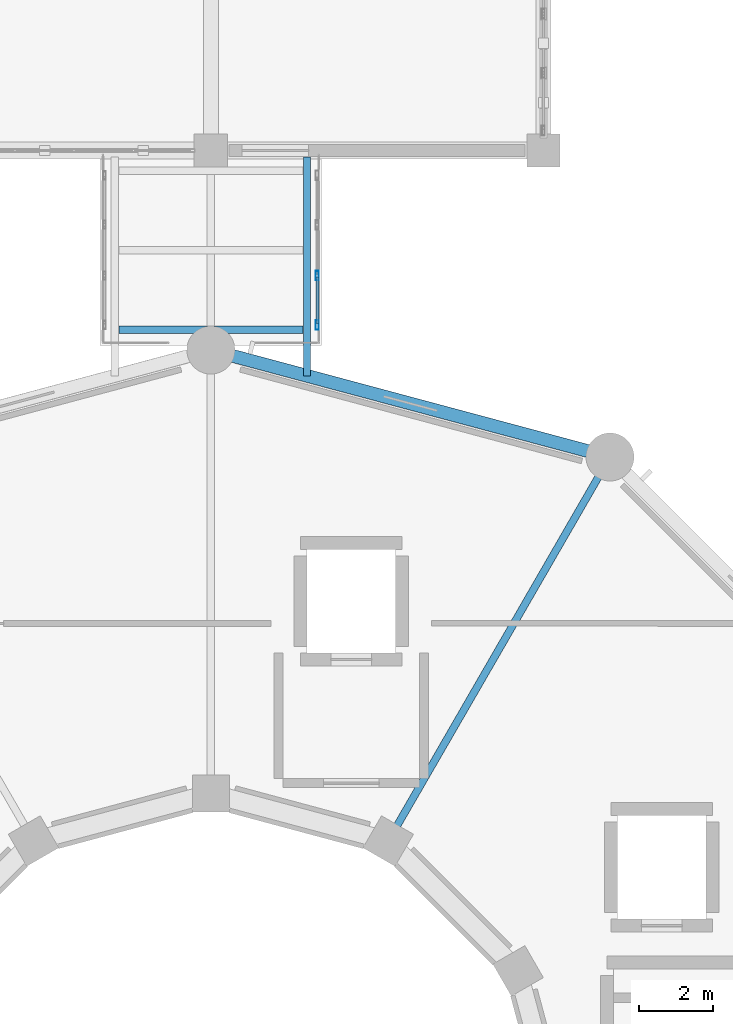
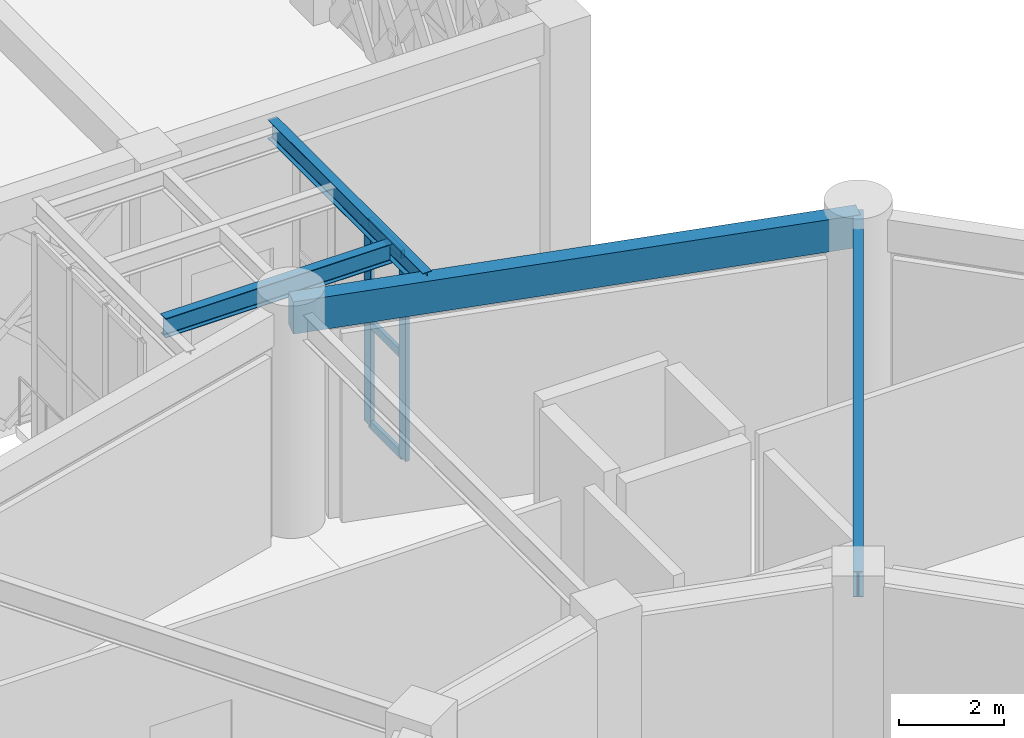
# One storey, part 68 of 155: 5 members, 4 beams, 1 element without a shape of its own.
"""IFC4 building model written with IfcOpenShell, lengths in metres."""

from ifc_helpers import new_model, si_unit, direction, frame, origin, origin_2d, place, context, subcontext, project, spatial, rectangle, hollow_rectangle, i_section, extrude, material, material_profile, profile_set, type_object, element, aggregate, save


model = new_model("IFC4")

# Units and contexts
model_context = context("Model", 3, precision=1e-05, world=origin(), true_north=direction((0.0, 1.0)))
body_context = subcontext(model_context, "Body", "Model", "MODEL_VIEW")
ifc_project = project(units=[si_unit("LENGTHUNIT", "METRE"), si_unit("AREAUNIT", "SQUARE_METRE"), si_unit("VOLUMEUNIT", "CUBIC_METRE"), si_unit("PLANEANGLEUNIT", "RADIAN"), si_unit("MASSUNIT", "GRAM", prefix="KILO")], contexts=[model_context])

# Site, building, storey
site_placement = place(None, origin())
site = spatial("IfcSite", under=ifc_project, at=site_placement, CompositionType="ELEMENT")
building_placement = place(site_placement, origin())
building = spatial("IfcBuilding", under=site, at=building_placement, Name="Haizhuo Lancet Aquarium", CompositionType="ELEMENT")
storey_placement = place(building_placement, frame((0.0, 0.0, 10.800048828125)))
storey = spatial("IfcBuildingStorey", under=building, at=storey_placement, Name="L02", CompositionType="ELEMENT", Elevation=10.800048828125)

# Beam
ifc_material_1 = material(Name="Steel S355", Category="steel")
ifc_material_profile_1 = material_profile(ifc_material_1, i_section(OverallWidth=0.199951171875, OverallDepth=0.60009765625, WebThickness=0.010986328125, FlangeThickness=0.01708984375, FilletRadius=0.02197265625, at=origin_2d()), Name="HN 600x200x11x17")
ifc_profile_set_1 = profile_set([ifc_material_profile_1], Name="Steel S355")
beam_type_1 = type_object("IfcBeamType", Name="BM-ST-HN600", PredefinedType="BEAM", material=ifc_profile_set_1)
beam_1_placement = place(storey_placement, frame((4.800048828125, 8.31396484375, 4.85986328125), z_axis=(0.500007758305, 0.866020924479, 0.0), x_axis=(-0.866020924479, 0.500007758305, 0.0)))
element("IfcBeam", 1, at=beam_1_placement, inside=storey, type_object=beam_type_1, Name="L02 radial gallery girder 3", PredefinedType="BEAM", context=body_context, shape_type="SweptSolid", body=[
    extrude(i_section(OverallWidth=0.199951171875, OverallDepth=0.60009765625, WebThickness=0.010986328125, FlangeThickness=0.01708984375, FilletRadius=0.02197265625, at=origin_2d()), origin(), (0.0, 0.0, 1.0), 11.999755859375),
])

# Curtain wall, members
ifc_material_2 = material(Name="Aluminium 6063-T6", Category="aluminium")
curtain_wall_type = type_object("IfcCurtainWallType", Name="CWO-4120x4750", PredefinedType="NOTDEFINED", material=ifc_material_2)
curtain_wall_placement = place(storey_placement, origin())
curtain_wall = element("IfcCurtainWall", 2, at=curtain_wall_placement, inside=storey, type_object=curtain_wall_type, Name="L02 curtain wall CW-SB-03-E1", PredefinedType="NOTDEFINED")
ifc_material_profile_2 = material_profile(ifc_material_2, hollow_rectangle(XDim=0.080078125, YDim=0.260009765625, WallThickness=0.0048828125, at=origin_2d()), Name="ALU-M 80x260x5")
ifc_profile_set_2 = profile_set([ifc_material_profile_2], Name="Aluminium 6063-T6")
member_type_1 = type_object("IfcMemberType", Name="CW-MUL-3", PredefinedType="MULLION", material=ifc_profile_set_2)
member_1_placement = place(storey_placement, frame((2.8798828125, 23.613037109375, 0.0), z_axis=(0.0, 0.0, 1.0), x_axis=(1.0, 0.0, 0.0)))
member_1 = element("IfcMember", 3, at=member_1_placement, type_object=member_type_1, Name="CWO-41x47 mullion 3", PredefinedType="MULLION", context=body_context, shape_type="SweptSolid", body=[
    extrude(hollow_rectangle(XDim=0.080078125, YDim=0.260009765625, WallThickness=0.0048828125, at=origin_2d()), origin(), (0.0, 0.0, 1.0), 4.75),
])
member_2_placement = place(storey_placement, frame((2.8798828125, 22.280029296875, 0.0), z_axis=(0.0, 0.0, 1.0), x_axis=(1.0, 0.0, 0.0)))
member_2 = element("IfcMember", 4, at=member_2_placement, type_object=member_type_1, Name="CWO-41x47 mullion 4", PredefinedType="MULLION", context=body_context, shape_type="SweptSolid", body=[
    extrude(hollow_rectangle(XDim=0.080078125, YDim=0.260009765625, WallThickness=0.0048828125, at=origin_2d()), origin(), (0.0, 0.0, 1.0), 4.75),
])
ifc_material_profile_3 = material_profile(ifc_material_2, hollow_rectangle(XDim=0.080078125, YDim=0.18994140625, WallThickness=0.0048828125, at=origin_2d()), Name="ALU-T 80x190x5")
ifc_profile_set_3 = profile_set([ifc_material_profile_3], Name="Aluminium 6063-T6")
member_type_2 = type_object("IfcMemberType", Name="CW-TRN-3", PredefinedType="NOTDEFINED", material=ifc_profile_set_3)
member_3_placement = place(storey_placement, frame((2.8798828125, 23.572998046875, 0.0400390625), z_axis=(0.0, -1.0, 0.0), x_axis=(1.0, 0.0, 0.0)))
member_3 = element("IfcMember", 5, at=member_3_placement, type_object=member_type_2, Name="CWO-41x47 transom 3.1", ObjectType="TRANSOM", PredefinedType="USERDEFINED", context=body_context, shape_type="SweptSolid", body=[
    extrude(hollow_rectangle(XDim=0.080078125, YDim=0.18994140625, WallThickness=0.0048828125, at=origin_2d()), origin(), (0.0, 0.0, 1.0), 1.2529296875),
])
member_4_placement = place(storey_placement, frame((2.8798828125, 23.572998046875, 2.375), z_axis=(0.0, -1.0, 0.0), x_axis=(1.0, 0.0, 0.0)))
member_4 = element("IfcMember", 6, at=member_4_placement, type_object=member_type_2, Name="CWO-41x47 transom 3.2", ObjectType="TRANSOM", PredefinedType="USERDEFINED", context=body_context, shape_type="SweptSolid", body=[
    extrude(hollow_rectangle(XDim=0.080078125, YDim=0.18994140625, WallThickness=0.0048828125, at=origin_2d()), origin(), (0.0, 0.0, 1.0), 1.2529296875),
])
member_5_placement = place(storey_placement, frame((2.8798828125, 23.572998046875, 4.7099609375), z_axis=(0.0, -1.0, 0.0), x_axis=(1.0, 0.0, 0.0)))
member_5 = element("IfcMember", 7, at=member_5_placement, type_object=member_type_2, Name="CWO-41x47 transom 3.3", ObjectType="TRANSOM", PredefinedType="USERDEFINED", context=body_context, shape_type="SweptSolid", body=[
    extrude(hollow_rectangle(XDim=0.080078125, YDim=0.18994140625, WallThickness=0.0048828125, at=origin_2d()), origin(), (0.0, 0.0, 1.0), 1.2529296875),
])
aggregate(curtain_wall, [member_1, member_2, member_3, member_4, member_5])

# Beams
ifc_material_profile_4 = material_profile(ifc_material_1, i_section(OverallWidth=0.199951171875, OverallDepth=0.449951171875, WebThickness=0.009033203125, FlangeThickness=0.013916015625, FilletRadius=0.01806640625, at=origin_2d()), Name="HN 450x200x9x14")
ifc_profile_set_4 = profile_set([ifc_material_profile_4], Name="Steel S355")
beam_type_2 = type_object("IfcBeamType", Name="JST-ST-HN450", PredefinedType="JOIST", material=ifc_profile_set_4)
beam_2_placement = place(storey_placement, frame((2.60009765625, 20.903076171875, 5.02490234375), z_axis=(0.0, 1.0, 0.0), x_axis=(-1.0, 0.0, 0.0)))
element("IfcBeam", 8, at=beam_2_placement, inside=storey, type_object=beam_type_2, Name="Bridge roof edge beam SB-03 E", PredefinedType="JOIST", context=body_context, shape_type="SweptSolid", body=[
    extrude(i_section(OverallWidth=0.199951171875, OverallDepth=0.449951171875, WebThickness=0.009033203125, FlangeThickness=0.013916015625, FilletRadius=0.01806640625, at=origin_2d()), origin(), (0.0, 0.0, 1.0), 5.9169921875),
])
beam_3_placement = place(storey_placement, frame((-2.489990234375, 22.14990234375, 5.02490234375), z_axis=(1.0, 0.0, 0.0), x_axis=(0.0, 1.0, 0.0)))
element("IfcBeam", 9, at=beam_3_placement, inside=storey, type_object=beam_type_2, Name="Bridge roof cross tie SB-03 S", PredefinedType="JOIST", context=body_context, shape_type="SweptSolid", body=[
    extrude(i_section(OverallWidth=0.199951171875, OverallDepth=0.449951171875, WebThickness=0.009033203125, FlangeThickness=0.013916015625, FilletRadius=0.01806640625, at=origin_2d()), origin(), (0.0, 0.0, 1.0), 4.97998046875),
])
ifc_material_3 = material(Name="Concrete C40/50", Category="concrete")
ifc_material_profile_5 = material_profile(ifc_material_3, rectangle(XDim=0.35009765625, YDim=0.75, at=origin_2d()), Name="RC-SP 350x750")
ifc_profile_set_5 = profile_set([ifc_material_profile_5], Name="Concrete C40/50")
beam_type_3 = type_object("IfcBeamType", Name="SPN-RC-350x750", PredefinedType="SPANDREL", material=ifc_profile_set_5)
beam_4_placement = place(storey_placement, frame((10.800048828125, 18.7060546875, 4.784912109375), z_axis=(-0.965921832664, 0.258833949056, 0.0), x_axis=(-0.258833949056, -0.965921832664, 0.0)))
element("IfcBeam", 10, at=beam_4_placement, inside=storey, type_object=beam_type_3, Name="L02 drum perimeter spandrel 3", PredefinedType="SPANDREL", context=body_context, shape_type="SweptSolid", body=[
    extrude(rectangle(XDim=0.35009765625, YDim=0.75, at=origin_2d()), origin(), (0.0, 0.0, 1.0), 11.18115234375),
])

save(model, "model.ifc")
